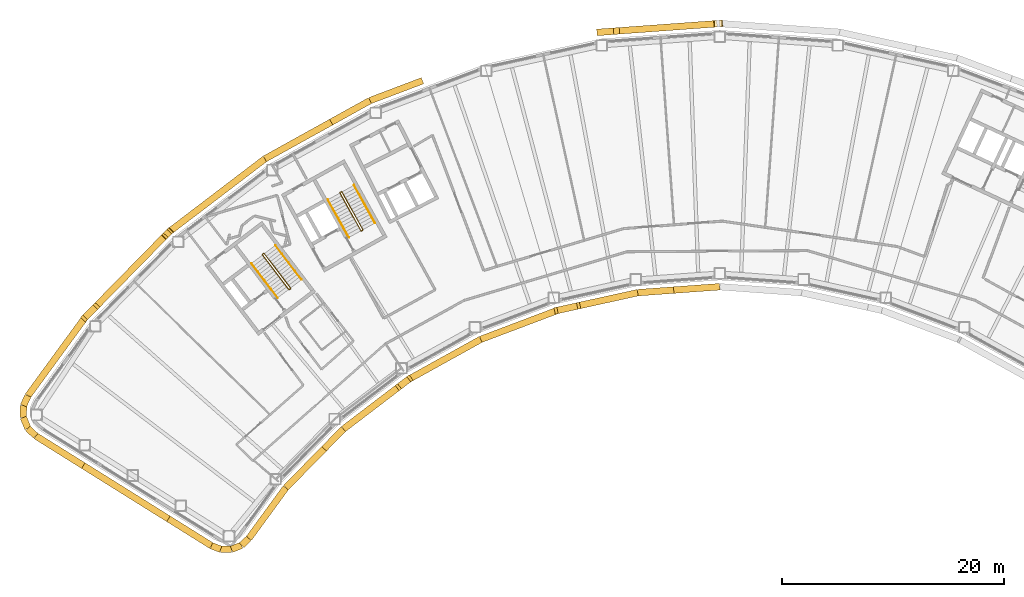
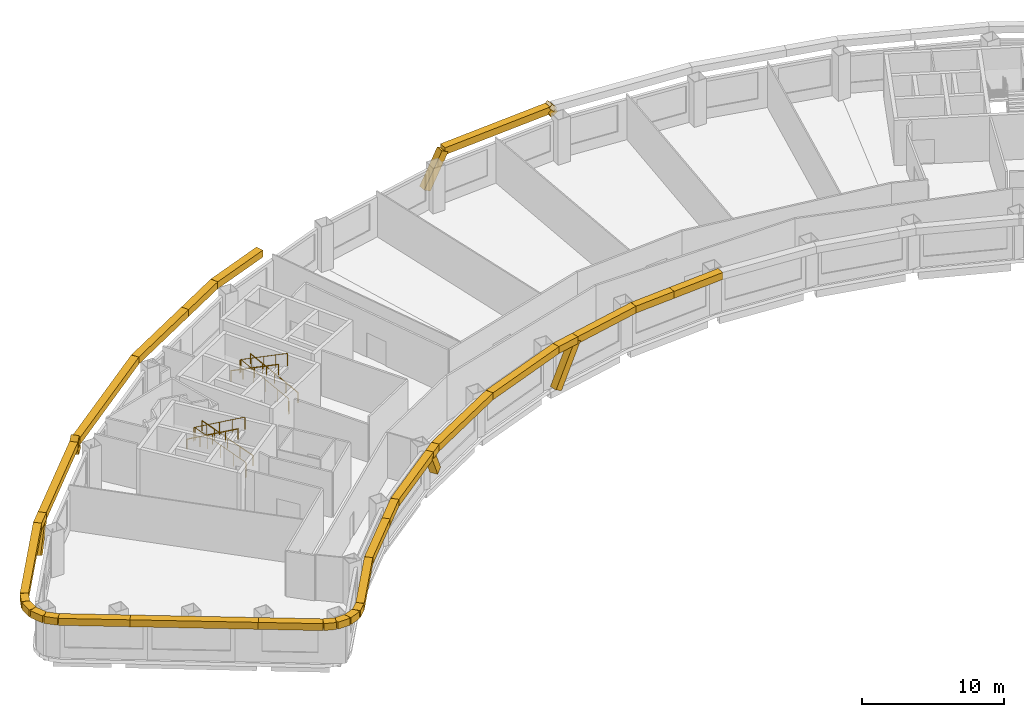
# One storey, part 10 of 11: 39 coverings, 6 railings.
"""IFC4 building model written with IfcOpenShell, lengths in metres."""

from ifc_helpers import new_model, si_unit, direction, frame, origin, origin_2d, place, context, subcontext, project, spatial, rectangle, circle, extrude, material, material_profile, profile_set, type_object, element, save


model = new_model("IFC4")

# Units and contexts
model_context = context("Model", 3, precision=1e-05, world=origin(), true_north=direction((0.0, 1.0)))
body_context = subcontext(model_context, "Body", "Model", "MODEL_VIEW")
ifc_project = project(units=[si_unit("LENGTHUNIT", "METRE"), si_unit("AREAUNIT", "SQUARE_METRE"), si_unit("VOLUMEUNIT", "CUBIC_METRE"), si_unit("PLANEANGLEUNIT", "RADIAN"), si_unit("MASSUNIT", "GRAM", prefix="KILO")], contexts=[model_context])

# Site, building, storey
site_placement = place(None, origin())
site = spatial("IfcSite", under=ifc_project, at=site_placement, CompositionType="ELEMENT")
building_placement = place(site_placement, origin())
building = spatial("IfcBuilding", under=site, at=building_placement, Name="Tuul Gate Civic Tower", CompositionType="ELEMENT")
storey_placement = place(building_placement, frame((0.0, 0.0, 159.199951171875)))
storey = spatial("IfcBuildingStorey", under=building, at=storey_placement, Name="Level 36", CompositionType="ELEMENT", Elevation=159.199951171875)

# Railings
ifc_material_1 = material(Name="Painted steel", Category="steel")
railing_type_1 = type_object("IfcRailingType", Name="Stair guard", PredefinedType="GUARDRAIL", material=ifc_material_1)
railing_1_placement = place(storey_placement, frame((-33.382080078125, -13.515380859375, 0.0)))
element("IfcRailing", 1, at=railing_1_placement, inside=storey, type_object=railing_type_1, Name="Level 36 ST-1 stair guard 1", PredefinedType="GUARDRAIL", context=body_context, shape_type="SweptSolid", body=[
    extrude(circle(Radius=0.02392578125, at=origin_2d()), frame((0.0, 0.0, 1.076171875), z_axis=(-0.795879841968, -0.605454603706, 0.0), x_axis=(0.605454603706, -0.795879841968, 0.0)), (0.0, 0.0, 1.0), 0.10009765625),
    extrude(circle(Radius=0.02392578125, at=origin_2d()), frame((-0.07958984375, -0.060546875, 1.076171875), z_axis=(0.408676696321, 0.599019267211, 0.688592241747), x_axis=(-0.826063974707, 0.563576356576, 0.0)), (0.0, 0.0, 1.0), 0.218017578125),
    extrude(circle(Radius=0.02392578125, at=origin_2d()), frame((0.009521484375, 0.070068359375, 1.22607421875), z_axis=(-0.541824460341, 0.711645023348, 0.447199748346), x_axis=(-0.795637165283, -0.60577347352, 0.0)), (0.0, 0.0, 1.0), 4.3603515625),
    extrude(circle(Radius=0.02392578125, at=origin_2d()), frame((-2.35302734375, 3.173095703125, 3.17626953125), z_axis=(-0.990893089246, 0.134650977284, 0.0), x_axis=(-0.134650977284, -0.990893089246, 0.0)), (0.0, 0.0, 1.0), 0.07080078125),
    extrude(circle(Radius=0.02392578125, at=origin_2d()), frame((-2.423095703125, 3.1826171875, 3.17626953125), z_axis=(-0.793802879778, -0.60817512943, 0.0), x_axis=(0.60817512943, -0.793802879778, 0.0)), (0.0, 0.0, 1.0), 0.099853515625),
    extrude(circle(Radius=0.02392578125, at=origin_2d()), frame((-2.50244140625, 3.121826171875, 3.17626953125), z_axis=(-0.057447065493, -0.422751481959, 0.904423031091), x_axis=(0.990893089246, -0.134650977284, 0.0)), (0.0, 0.0, 1.0), 0.165771484375),
    extrude(circle(Radius=0.02392578125, at=origin_2d()), frame((-2.511962890625, 3.0517578125, 3.326171875), z_axis=(0.541806494602, -0.71163897684, 0.447231136047), x_axis=(0.795644365679, 0.605764016233, 0.0)), (0.0, 0.0, 1.0), 4.360107421875),
    extrude(circle(Radius=0.02099609375, at=origin_2d()), origin(), (0.0, 0.0, 1.0), 1.052001953125),
    extrude(circle(Radius=0.02099609375, at=origin_2d()), frame((-0.07958984375, -0.060546875, 0.0)), (0.0, 0.0, 1.0), 1.052001953125),
    extrude(circle(Radius=0.02099609375, at=origin_2d()), frame((0.009521484375, 0.070068359375, 0.150146484375)), (0.0, 0.0, 1.0), 1.052001953125),
    extrude(circle(Radius=0.02099609375, at=origin_2d()), frame((-0.5810546875, 0.845703125, 0.6376953125)), (0.0, 0.0, 1.0), 1.052001953125),
    extrude(circle(Radius=0.02099609375, at=origin_2d()), frame((-1.171875, 1.62158203125, 1.125)), (0.0, 0.0, 1.0), 1.052001953125),
    extrude(circle(Radius=0.02099609375, at=origin_2d()), frame((-1.762451171875, 2.3974609375, 1.612548828125)), (0.0, 0.0, 1.0), 1.052001953125),
    extrude(circle(Radius=0.02099609375, at=origin_2d()), frame((-2.35302734375, 3.173095703125, 2.10009765625)), (0.0, 0.0, 1.0), 1.052001953125),
    extrude(circle(Radius=0.02099609375, at=origin_2d()), frame((-2.423095703125, 3.1826171875, 2.10009765625)), (0.0, 0.0, 1.0), 1.052001953125),
    extrude(circle(Radius=0.02099609375, at=origin_2d()), frame((-2.50244140625, 3.121826171875, 2.10009765625)), (0.0, 0.0, 1.0), 1.052001953125),
    extrude(circle(Radius=0.02099609375, at=origin_2d()), frame((-2.511962890625, 3.0517578125, 2.25)), (0.0, 0.0, 1.0), 1.052001953125),
    extrude(circle(Radius=0.02099609375, at=origin_2d()), frame((-1.92138671875, 2.276123046875, 2.737548828125)), (0.0, 0.0, 1.0), 1.052001953125),
    extrude(circle(Radius=0.02099609375, at=origin_2d()), frame((-1.330810546875, 1.50048828125, 3.22509765625)), (0.0, 0.0, 1.0), 1.052001953125),
    extrude(circle(Radius=0.02099609375, at=origin_2d()), frame((-0.740234375, 0.724609375, 3.71240234375)), (0.0, 0.0, 1.0), 1.052001953125),
    extrude(circle(Radius=0.02099609375, at=origin_2d()), frame((-0.149658203125, -0.051025390625, 4.199951171875)), (0.0, 0.0, 1.0), 1.052001953125),
])
railing_2_placement = place(storey_placement, frame((-26.857666015625, -8.247314453125, 0.0)))
element("IfcRailing", 2, at=railing_2_placement, inside=storey, type_object=railing_type_1, Name="Level 36 ST-2 stair guard 1", PredefinedType="GUARDRAIL", context=body_context, shape_type="SweptSolid", body=[
    extrude(circle(Radius=0.02392578125, at=origin_2d()), frame((0.0, 0.0, 1.076171875), z_axis=(-0.874616555828, -0.48481530532, 0.0), x_axis=(0.48481530532, -0.874616555828, 0.0)), (0.0, 0.0, 1.0), 0.10009765625),
    extrude(circle(Radius=0.02392578125, at=origin_2d()), frame((-0.087646484375, -0.048583984375, 1.076171875), z_axis=(0.490435707169, 0.534104639999, 0.688625479244), x_axis=(-0.736576986774, 0.676353711126, 0.0)), (0.0, 0.0, 1.0), 0.218017578125),
    extrude(circle(Radius=0.02392578125, at=origin_2d()), frame((0.019287109375, 0.06787109375, 1.22607421875), z_axis=(-0.43354991378, 0.782327185242, 0.447212083348), x_axis=(-0.874667644053, -0.484723129681, 0.0)), (0.0, 0.0, 1.0), 4.3603515625),
    extrude(circle(Radius=0.02392578125, at=origin_2d()), frame((-1.87109375, 3.47900390625, 3.17626953125), z_axis=(-0.961263487578, 0.275631107549, 0.0), x_axis=(-0.275631107549, -0.961263487578, 0.0)), (0.0, 0.0, 1.0), 0.07080078125),
    extrude(circle(Radius=0.02392578125, at=origin_2d()), frame((-1.939208984375, 3.49853515625, 3.17626953125), z_axis=(-0.874042088414, -0.485850211157, 0.0), x_axis=(0.485850211157, -0.874042088414, 0.0)), (0.0, 0.0, 1.0), 0.10009765625),
    extrude(circle(Radius=0.02392578125, at=origin_2d()), frame((-2.026611328125, 3.449951171875, 3.17626953125), z_axis=(-0.117866478395, -0.409586012422, 0.90462522168), x_axis=(0.961000426733, -0.276546885391, 0.0)), (0.0, 0.0, 1.0), 0.165771484375),
    extrude(circle(Radius=0.02392578125, at=origin_2d()), frame((-2.046142578125, 3.382080078125, 3.326171875), z_axis=(0.433595379963, -0.782308193291, 0.447201226726), x_axis=(0.874641102302, 0.484771020343, 0.0)), (0.0, 0.0, 1.0), 4.3603515625),
    extrude(circle(Radius=0.02099609375, at=origin_2d()), origin(), (0.0, 0.0, 1.0), 1.052001953125),
    extrude(circle(Radius=0.02099609375, at=origin_2d()), frame((-0.087646484375, -0.048583984375, 0.0)), (0.0, 0.0, 1.0), 1.052001953125),
    extrude(circle(Radius=0.02099609375, at=origin_2d()), frame((0.019287109375, 0.06787109375, 0.150146484375)), (0.0, 0.0, 1.0), 1.052001953125),
    extrude(circle(Radius=0.02099609375, at=origin_2d()), frame((-0.453369140625, 0.920654296875, 0.6376953125)), (0.0, 0.0, 1.0), 1.052001953125),
    extrude(circle(Radius=0.02099609375, at=origin_2d()), frame((-0.92578125, 1.7734375, 1.125)), (0.0, 0.0, 1.0), 1.052001953125),
    extrude(circle(Radius=0.02099609375, at=origin_2d()), frame((-1.3984375, 2.626220703125, 1.612548828125)), (0.0, 0.0, 1.0), 1.052001953125),
    extrude(circle(Radius=0.02099609375, at=origin_2d()), frame((-1.87109375, 3.47900390625, 2.10009765625)), (0.0, 0.0, 1.0), 1.052001953125),
    extrude(circle(Radius=0.02099609375, at=origin_2d()), frame((-1.939208984375, 3.49853515625, 2.10009765625)), (0.0, 0.0, 1.0), 1.052001953125),
    extrude(circle(Radius=0.02099609375, at=origin_2d()), frame((-2.026611328125, 3.449951171875, 2.10009765625)), (0.0, 0.0, 1.0), 1.052001953125),
    extrude(circle(Radius=0.02099609375, at=origin_2d()), frame((-2.046142578125, 3.382080078125, 2.25)), (0.0, 0.0, 1.0), 1.052001953125),
    extrude(circle(Radius=0.02099609375, at=origin_2d()), frame((-1.573486328125, 2.529296875, 2.737548828125)), (0.0, 0.0, 1.0), 1.052001953125),
    extrude(circle(Radius=0.02099609375, at=origin_2d()), frame((-1.100830078125, 1.676513671875, 3.22509765625)), (0.0, 0.0, 1.0), 1.052001953125),
    extrude(circle(Radius=0.02099609375, at=origin_2d()), frame((-0.628173828125, 0.82373046875, 3.71240234375)), (0.0, 0.0, 1.0), 1.052001953125),
    extrude(circle(Radius=0.02099609375, at=origin_2d()), frame((-0.155517578125, -0.029052734375, 4.199951171875)), (0.0, 0.0, 1.0), 1.052001953125),
])
ifc_material_2 = material(Name="Painted steel", Category="steel")
railing_type_2 = type_object("IfcRailingType", Name="Stair handrail", PredefinedType="HANDRAIL", material=ifc_material_2)
railing_3_placement = place(storey_placement, frame((-32.3779296875, -12.688232421875, 0.150146484375)))
element("IfcRailing", 3, at=railing_3_placement, inside=storey, type_object=railing_type_2, Name="Level 36 ST-1 stair handrail 1", PredefinedType="HANDRAIL", context=body_context, shape_type="SweptSolid", body=[
    extrude(circle(Radius=0.02392578125, at=origin_2d()), frame((0.0, 0.0, 0.8759765625), z_axis=(-0.541824460341, 0.711645023348, 0.447199748346), x_axis=(-0.795637165283, -0.60577347352, 0.0)), (0.0, 0.0, 1.0), 4.3603515625),
    extrude(circle(Radius=0.02099609375, at=origin_2d()), origin(), (0.0, 0.0, 1.0), 0.851806640625),
    extrude(circle(Radius=0.02099609375, at=origin_2d()), frame((-0.590576171875, 0.77587890625, 0.487548828125)), (0.0, 0.0, 1.0), 0.851806640625),
    extrude(circle(Radius=0.02099609375, at=origin_2d()), frame((-1.18115234375, 1.551513671875, 0.97509765625)), (0.0, 0.0, 1.0), 0.851806640625),
    extrude(circle(Radius=0.02099609375, at=origin_2d()), frame((-1.77197265625, 2.3271484375, 1.46240234375)), (0.0, 0.0, 1.0), 0.851806640625),
    extrude(circle(Radius=0.02099609375, at=origin_2d()), frame((-2.362548828125, 3.10302734375, 1.949951171875)), (0.0, 0.0, 1.0), 0.851806640625),
])
railing_4_placement = place(storey_placement, frame((-36.888671875, -11.220703125, 2.25)))
element("IfcRailing", 4, at=railing_4_placement, inside=storey, type_object=railing_type_2, Name="Level 36 ST-1 stair handrail 2", PredefinedType="HANDRAIL", context=body_context, shape_type="SweptSolid", body=[
    extrude(circle(Radius=0.02392578125, at=origin_2d()), frame((0.0, 0.0, 0.8759765625), z_axis=(0.541824460341, -0.711645023348, 0.447199748346), x_axis=(0.795637165283, 0.60577347352, 0.0)), (0.0, 0.0, 1.0), 4.3603515625),
    extrude(circle(Radius=0.02099609375, at=origin_2d()), origin(), (0.0, 0.0, 1.0), 0.851806640625),
    extrude(circle(Radius=0.02099609375, at=origin_2d()), frame((0.590576171875, -0.77587890625, 0.487548828125)), (0.0, 0.0, 1.0), 0.851806640625),
    extrude(circle(Radius=0.02099609375, at=origin_2d()), frame((1.18115234375, -1.551513671875, 0.97509765625)), (0.0, 0.0, 1.0), 0.851806640625),
    extrude(circle(Radius=0.02099609375, at=origin_2d()), frame((1.77197265625, -2.3271484375, 1.46240234375)), (0.0, 0.0, 1.0), 0.851806640625),
    extrude(circle(Radius=0.02099609375, at=origin_2d()), frame((2.362548828125, -3.10302734375, 1.949951171875)), (0.0, 0.0, 1.0), 0.851806640625),
])
railing_5_placement = place(storey_placement, frame((-25.744873046875, -7.573486328125, 0.150146484375)))
element("IfcRailing", 5, at=railing_5_placement, inside=storey, type_object=railing_type_2, Name="Level 36 ST-2 stair handrail 1", PredefinedType="HANDRAIL", context=body_context, shape_type="SweptSolid", body=[
    extrude(circle(Radius=0.02392578125, at=origin_2d()), frame((0.0, 0.0, 0.8759765625), z_axis=(-0.433595379963, 0.782308193291, 0.447201226726), x_axis=(-0.874641102302, -0.484771020343, 0.0)), (0.0, 0.0, 1.0), 4.3603515625),
    extrude(circle(Radius=0.02099609375, at=origin_2d()), origin(), (0.0, 0.0, 1.0), 0.851806640625),
    extrude(circle(Radius=0.02099609375, at=origin_2d()), frame((-0.47265625, 0.852783203125, 0.487548828125)), (0.0, 0.0, 1.0), 0.851806640625),
    extrude(circle(Radius=0.02099609375, at=origin_2d()), frame((-0.9453125, 1.70556640625, 0.97509765625)), (0.0, 0.0, 1.0), 0.851806640625),
    extrude(circle(Radius=0.02099609375, at=origin_2d()), frame((-1.41796875, 2.558349609375, 1.46240234375)), (0.0, 0.0, 1.0), 0.851806640625),
    extrude(circle(Radius=0.02099609375, at=origin_2d()), frame((-1.890625, 3.4111328125, 1.949951171875)), (0.0, 0.0, 1.0), 0.851806640625),
])
railing_6_placement = place(storey_placement, frame((-29.9970703125, -5.47119140625, 2.25)))
element("IfcRailing", 6, at=railing_6_placement, inside=storey, type_object=railing_type_2, Name="Level 36 ST-2 stair handrail 2", PredefinedType="HANDRAIL", context=body_context, shape_type="SweptSolid", body=[
    extrude(circle(Radius=0.02392578125, at=origin_2d()), frame((0.0, 0.0, 0.8759765625), z_axis=(0.433595379963, -0.782308193291, 0.447201226726), x_axis=(0.874641102302, 0.484771020343, 0.0)), (0.0, 0.0, 1.0), 4.3603515625),
    extrude(circle(Radius=0.02099609375, at=origin_2d()), origin(), (0.0, 0.0, 1.0), 0.851806640625),
    extrude(circle(Radius=0.02099609375, at=origin_2d()), frame((0.47265625, -0.852783203125, 0.487548828125)), (0.0, 0.0, 1.0), 0.851806640625),
    extrude(circle(Radius=0.02099609375, at=origin_2d()), frame((0.9453125, -1.70556640625, 0.97509765625)), (0.0, 0.0, 1.0), 0.851806640625),
    extrude(circle(Radius=0.02099609375, at=origin_2d()), frame((1.41796875, -2.558349609375, 1.46240234375)), (0.0, 0.0, 1.0), 0.851806640625),
    extrude(circle(Radius=0.02099609375, at=origin_2d()), frame((1.890625, -3.4111328125, 1.949951171875)), (0.0, 0.0, 1.0), 0.851806640625),
])

# Coverings
ifc_material_3 = material(Name="Terracotta baguette", Category="masonry")
ifc_material_profile = material_profile(ifc_material_3, rectangle(XDim=0.60009765625, YDim=0.60009765625, at=origin_2d()), Name="Terracotta baguette screen frame")
ifc_profile_set = profile_set([ifc_material_profile], Name="Terracotta baguette")
covering_type = type_object("IfcCoveringType", Name="Terracotta baguette screen frame", PredefinedType="CLADDING", material=ifc_profile_set)
covering_1_placement = place(storey_placement, frame((5.3740234375, 10.43505859375, 4.099365234375), z_axis=(-0.731896809829, -0.053228858897, -0.679333311669), x_axis=(0.072535695779, -0.997365816959, 0.0)))
element("IfcCovering", 7, at=covering_1_placement, inside=storey, type_object=covering_type, Name="Baguette 72", PredefinedType="CLADDING", context=body_context, shape_type="SweptSolid", body=[
    extrude(rectangle(XDim=0.60009765625, YDim=0.60009765625, at=origin_2d()), origin(), (0.0, 0.0, 1.0), 0.366943359375),
])
covering_2_placement = place(storey_placement, frame((5.10546875, 10.41552734375, 3.85009765625), z_axis=(0.473792597788, 0.034457643475, -0.879962070255), x_axis=(-0.072535695779, 0.997365816959, 0.0)))
element("IfcCovering", 8, at=covering_2_placement, inside=storey, type_object=covering_type, Name="Baguette 76", PredefinedType="CLADDING", context=body_context, shape_type="SweptSolid", body=[
    extrude(rectangle(XDim=0.60009765625, YDim=0.60009765625, at=origin_2d()), origin(), (0.0, 0.0, 1.0), 0.56689453125),
])
covering_3_placement = place(storey_placement, frame((5.10546875, 10.41552734375, 3.85009765625), z_axis=(-0.997386341974, -0.072252922734, 0.0), x_axis=(0.072252922734, -0.997386341974, 0.0)))
element("IfcCovering", 9, at=covering_3_placement, inside=storey, type_object=covering_type, Name="Baguette 78", PredefinedType="CLADDING", context=body_context, shape_type="SweptSolid", body=[
    extrude(rectangle(XDim=0.60009765625, YDim=0.60009765625, at=origin_2d()), origin(), (0.0, 0.0, 1.0), 9.072509765625),
])
covering_4_placement = place(storey_placement, frame((-3.943359375, 9.760009765625, 3.85009765625), z_axis=(-0.473958579219, -0.034288001027, -0.879879308866), x_axis=(0.072155305808, -0.997393408763, 0.0)))
element("IfcCovering", 10, at=covering_4_placement, inside=storey, type_object=covering_type, Name="Baguette 83", PredefinedType="CLADDING", context=body_context, shape_type="SweptSolid", body=[
    extrude(rectangle(XDim=0.60009765625, YDim=0.60009765625, at=origin_2d()), origin(), (0.0, 0.0, 1.0), 3.175537109375),
])
covering_5_placement = place(storey_placement, frame((-21.4560546875, 5.26953125, 3.85009765625), z_axis=(-0.935345299658, -0.353736017969, 0.0), x_axis=(0.353736017969, -0.935345299658, 0.0)))
element("IfcCovering", 11, at=covering_5_placement, inside=storey, type_object=covering_type, Name="Baguette 99", PredefinedType="CLADDING", context=body_context, shape_type="SweptSolid", body=[
    extrude(rectangle(XDim=0.60009765625, YDim=0.60009765625, at=origin_2d()), origin(), (0.0, 0.0, 1.0), 5.066650390625),
])
covering_6_placement = place(storey_placement, frame((-26.195068359375, 3.477294921875, 3.85009765625), z_axis=(-0.874642685477, -0.484768163911, 0.0), x_axis=(0.484768163911, -0.874642685477, 0.0)))
element("IfcCovering", 12, at=covering_6_placement, inside=storey, type_object=covering_type, Name="Baguette 100", PredefinedType="CLADDING", context=body_context, shape_type="SweptSolid", body=[
    extrude(rectangle(XDim=0.60009765625, YDim=0.60009765625, at=origin_2d()), origin(), (0.0, 0.0, 1.0), 4.005859375),
])
covering_7_placement = place(storey_placement, frame((-44.319580078125, -8.357177734375, 4.264892578125), z_axis=(-0.513838638896, -0.523835499575, -0.679386651739), x_axis=(0.713885857337, -0.700262081434, 0.0)))
element("IfcCovering", 13, at=covering_7_placement, inside=storey, type_object=covering_type, Name="Baguette 114", PredefinedType="CLADDING", context=body_context, shape_type="SweptSolid", body=[
    extrude(rectangle(XDim=0.60009765625, YDim=0.60009765625, at=origin_2d()), origin(), (0.0, 0.0, 1.0), 0.610595703125),
])
covering_8_placement = place(storey_placement, frame((-44.63330078125, -8.677001953125, 3.85009765625), z_axis=(0.3326680257, 0.339140166278, -0.879952232961), x_axis=(-0.713885857337, 0.700262081434, 0.0)))
element("IfcCovering", 14, at=covering_8_placement, inside=storey, type_object=covering_type, Name="Baguette 118", PredefinedType="CLADDING", context=body_context, shape_type="SweptSolid", body=[
    extrude(rectangle(XDim=0.60009765625, YDim=0.60009765625, at=origin_2d()), origin(), (0.0, 0.0, 1.0), 0.943115234375),
])
covering_9_placement = place(storey_placement, frame((-44.63330078125, -8.677001953125, 3.85009765625), z_axis=(-0.700034819682, -0.714108711075, 0.0), x_axis=(0.714108711075, -0.700034819682, 0.0)))
element("IfcCovering", 15, at=covering_9_placement, inside=storey, type_object=covering_type, Name="Baguette 120", PredefinedType="CLADDING", context=body_context, shape_type="SweptSolid", body=[
    extrude(rectangle(XDim=0.60009765625, YDim=0.60009765625, at=origin_2d()), origin(), (0.0, 0.0, 1.0), 9.072509765625),
])
covering_10_placement = place(storey_placement, frame((-50.984375, -15.15576171875, 3.85009765625), z_axis=(-0.332603463644, -0.339318321196, -0.879907957046), x_axis=(0.714137600713, -0.700005348013, 0.0)))
element("IfcCovering", 16, at=covering_10_placement, inside=storey, type_object=covering_type, Name="Baguette 125", PredefinedType="CLADDING", context=body_context, shape_type="SweptSolid", body=[
    extrude(rectangle(XDim=0.60009765625, YDim=0.60009765625, at=origin_2d()), origin(), (0.0, 0.0, 1.0), 2.799560546875),
])
covering_11_placement = place(storey_placement, frame((-52.0712890625, -29.478515625, 3.85009765625), z_axis=(0.848051326016, -0.529914095342, 0.0), x_axis=(0.529914095342, 0.848051326016, 0.0)))
element("IfcCovering", 17, at=covering_11_placement, inside=storey, type_object=covering_type, Name="Baguette 152", PredefinedType="CLADDING", context=body_context, shape_type="SweptSolid", body=[
    extrude(rectangle(XDim=0.60009765625, YDim=0.60009765625, at=origin_2d()), origin(), (0.0, 0.0, 1.0), 9.052978515625),
])
covering_12_placement = place(storey_placement, frame((-30.33349609375, -27.94580078125, 3.85009765625), z_axis=(0.70003698075, 0.714106592591, 0.0), x_axis=(-0.714106592591, 0.70003698075, 0.0)))
element("IfcCovering", 18, at=covering_12_placement, inside=storey, type_object=covering_type, Name="Baguette 184", PredefinedType="CLADDING", context=body_context, shape_type="SweptSolid", body=[
    extrude(rectangle(XDim=0.60009765625, YDim=0.60009765625, at=origin_2d()), origin(), (0.0, 0.0, 1.0), 2.4814453125),
])
covering_13_placement = place(storey_placement, frame((-28.596435546875, -26.173828125, 3.85009765625), z_axis=(0.795568060783, 0.60586422626, 0.0), x_axis=(-0.60586422626, 0.795568060783, 0.0)))
element("IfcCovering", 19, at=covering_13_placement, inside=storey, type_object=covering_type, Name="Baguette 185", PredefinedType="CLADDING", context=body_context, shape_type="SweptSolid", body=[
    extrude(rectangle(XDim=0.60009765625, YDim=0.60009765625, at=origin_2d()), origin(), (0.0, 0.0, 1.0), 6.370361328125),
])
covering_14_placement = place(storey_placement, frame((-23.5283203125, -22.314208984375, 3.85009765625), z_axis=(0.370914672837, 0.282368844377, -0.88469776828), x_axis=(-0.605727180009, 0.7956724096, 0.0)))
element("IfcCovering", 20, at=covering_14_placement, inside=storey, type_object=covering_type, Name="Baguette 190", PredefinedType="CLADDING", context=body_context, shape_type="SweptSolid", body=[
    extrude(rectangle(XDim=0.60009765625, YDim=0.60009765625, at=origin_2d()), origin(), (0.0, 0.0, 1.0), 2.2470703125),
])
covering_15_placement = place(storey_placement, frame((-7.490478515625, -15.06787109375, 3.85009765625), z_axis=(-0.455228552441, -0.100321546982, -0.884704782542), x_axis=(0.215212210255, -0.976567306721, 0.0)))
element("IfcCovering", 21, at=covering_15_placement, inside=storey, type_object=covering_type, Name="Baguette 208", PredefinedType="CLADDING", context=body_context, shape_type="SweptSolid", body=[
    extrude(rectangle(XDim=0.60009765625, YDim=0.60009765625, at=origin_2d()), origin(), (0.0, 0.0, 1.0), 3.906005859375),
])
covering_16_placement = place(storey_placement, frame((-7.490478515625, -15.06787109375, 3.85009765625), z_axis=(0.976556146559, 0.21526284542, 0.0), x_axis=(-0.21526284542, 0.976556146559, 0.0)))
element("IfcCovering", 22, at=covering_16_placement, inside=storey, type_object=covering_type, Name="Baguette 210", PredefinedType="CLADDING", context=body_context, shape_type="SweptSolid", body=[
    extrude(rectangle(XDim=0.60009765625, YDim=0.60009765625, at=origin_2d()), origin(), (0.0, 0.0, 1.0), 5.596923828125),
])
covering_17_placement = place(storey_placement, frame((-2.024658203125, -13.863037109375, 3.85009765625), z_axis=(0.997387772907, 0.072233167279, 0.0), x_axis=(-0.072233167279, 0.997387772907, 0.0)))
element("IfcCovering", 23, at=covering_17_placement, inside=storey, type_object=covering_type, Name="Baguette 211", PredefinedType="CLADDING", context=body_context, shape_type="SweptSolid", body=[
    extrude(rectangle(XDim=0.60009765625, YDim=0.60009765625, at=origin_2d()), origin(), (0.0, 0.0, 1.0), 3.2548828125),
])
covering_18_placement = place(storey_placement, frame((-29.69873046875, 1.535400390625, 3.85009765625), z_axis=(-0.874617819536, -0.484813025557, 0.0), x_axis=(0.484813025557, -0.874617819536, 0.0)))
element("IfcCovering", 24, at=covering_18_placement, inside=storey, type_object=covering_type, Name="Baguette 316", PredefinedType="CLADDING", context=body_context, shape_type="SweptSolid", body=[
    extrude(rectangle(XDim=0.60009765625, YDim=0.60009765625, at=origin_2d()), origin(), (0.0, 0.0, 1.0), 6.845703125),
])
covering_19_placement = place(storey_placement, frame((-35.68603515625, -1.783447265625, 3.85009765625), z_axis=(-0.795618643442, -0.605797799771, 0.0), x_axis=(0.605797799771, -0.795618643442, 0.0)))
element("IfcCovering", 25, at=covering_19_placement, inside=storey, type_object=covering_type, Name="Baguette 317", PredefinedType="CLADDING", context=body_context, shape_type="SweptSolid", body=[
    extrude(rectangle(XDim=0.60009765625, YDim=0.60009765625, at=origin_2d()), origin(), (0.0, 0.0, 1.0), 10.851318359375),
])
covering_20_placement = place(storey_placement, frame((-44.319580078125, -8.357177734375, 3.85009765625), z_axis=(-0.700262081434, -0.713885857337, 0.0), x_axis=(0.713885857337, -0.700262081434, 0.0)))
element("IfcCovering", 26, at=covering_20_placement, inside=storey, type_object=covering_type, Name="Baguette 318", PredefinedType="CLADDING", context=body_context, shape_type="SweptSolid", body=[
    extrude(rectangle(XDim=0.60009765625, YDim=0.60009765625, at=origin_2d()), origin(), (0.0, 0.0, 1.0), 0.447998046875),
])
covering_21_placement = place(storey_placement, frame((-50.984375, -15.15576171875, 3.85009765625), z_axis=(-0.700005348013, -0.714137600713, 0.0), x_axis=(0.714137600713, -0.700005348013, 0.0)))
element("IfcCovering", 27, at=covering_21_placement, inside=storey, type_object=covering_type, Name="Baguette 322", PredefinedType="CLADDING", context=body_context, shape_type="SweptSolid", body=[
    extrude(rectangle(XDim=0.60009765625, YDim=0.60009765625, at=origin_2d()), origin(), (0.0, 0.0, 1.0), 1.330322265625),
])
covering_22_placement = place(storey_placement, frame((-51.91552734375, -16.105712890625, 3.85009765625), z_axis=(-0.589764286523, -0.807575436936, 0.0), x_axis=(0.807575436936, -0.589764286523, 0.0)))
element("IfcCovering", 28, at=covering_22_placement, inside=storey, type_object=covering_type, Name="Baguette 323", PredefinedType="CLADDING", context=body_context, shape_type="SweptSolid", body=[
    extrude(rectangle(XDim=0.60009765625, YDim=0.60009765625, at=origin_2d()), origin(), (0.0, 0.0, 1.0), 8.735107421875),
])
covering_23_placement = place(storey_placement, frame((-57.067138671875, -23.159912109375, 3.85009765625), z_axis=(-0.413393330634, -0.910552554325, 0.0), x_axis=(0.910552554325, -0.413393330634, 0.0)))
element("IfcCovering", 29, at=covering_23_placement, inside=storey, type_object=covering_type, Name="Baguette 324", PredefinedType="CLADDING", context=body_context, shape_type="SweptSolid", body=[
    extrude(rectangle(XDim=0.60009765625, YDim=0.60009765625, at=origin_2d()), origin(), (0.0, 0.0, 1.0), 0.988037109375),
])
covering_24_placement = place(storey_placement, frame((-57.4755859375, -24.0595703125, 3.85009765625), z_axis=(-0.014633694716, -0.999892921757, 0.0), x_axis=(0.999892921757, -0.014633694716, 0.0)))
element("IfcCovering", 30, at=covering_24_placement, inside=storey, type_object=covering_type, Name="Baguette 325", PredefinedType="CLADDING", context=body_context, shape_type="SweptSolid", body=[
    extrude(rectangle(XDim=0.60009765625, YDim=0.60009765625, at=origin_2d()), origin(), (0.0, 0.0, 1.0), 1.067626953125),
])
covering_25_placement = place(storey_placement, frame((-57.4912109375, -25.127197265625, 3.85009765625), z_axis=(0.385784883999, -0.922588761734, 0.0), x_axis=(0.922588761734, 0.385784883999, 0.0)))
element("IfcCovering", 31, at=covering_25_placement, inside=storey, type_object=covering_type, Name="Baguette 326", PredefinedType="CLADDING", context=body_context, shape_type="SweptSolid", body=[
    extrude(rectangle(XDim=0.60009765625, YDim=0.60009765625, at=origin_2d()), origin(), (0.0, 0.0, 1.0), 1.06689453125),
])
covering_26_placement = place(storey_placement, frame((-57.07958984375, -26.111572265625, 3.85009765625), z_axis=(0.722137314744, -0.691749737011, 0.0), x_axis=(0.691749737011, 0.722137314744, 0.0)))
element("IfcCovering", 32, at=covering_26_placement, inside=storey, type_object=covering_type, Name="Baguette 327", PredefinedType="CLADDING", context=body_context, shape_type="SweptSolid", body=[
    extrude(rectangle(XDim=0.60009765625, YDim=0.60009765625, at=origin_2d()), origin(), (0.0, 0.0, 1.0), 0.98828125),
])
covering_27_placement = place(storey_placement, frame((-56.365966796875, -26.795166015625, 3.85009765625), z_axis=(0.848071424264, -0.529881929628, 0.0), x_axis=(0.529881929628, 0.848071424264, 0.0)))
element("IfcCovering", 33, at=covering_27_placement, inside=storey, type_object=covering_type, Name="Baguette 328", PredefinedType="CLADDING", context=body_context, shape_type="SweptSolid", body=[
    extrude(rectangle(XDim=0.60009765625, YDim=0.60009765625, at=origin_2d()), origin(), (0.0, 0.0, 1.0), 5.06396484375),
])
covering_28_placement = place(storey_placement, frame((-44.393798828125, -34.27587890625, 3.85009765625), z_axis=(0.848037242492, -0.529936633331, 0.0), x_axis=(0.529936633331, 0.848037242492, 0.0)))
element("IfcCovering", 34, at=covering_28_placement, inside=storey, type_object=covering_type, Name="Baguette 337", PredefinedType="CLADDING", context=body_context, shape_type="SweptSolid", body=[
    extrude(rectangle(XDim=0.60009765625, YDim=0.60009765625, at=origin_2d()), origin(), (0.0, 0.0, 1.0), 4.578857421875),
])
covering_29_placement = place(storey_placement, frame((-40.5107421875, -36.702392578125, 3.85009765625), z_axis=(0.93189278144, -0.362733847194, 0.0), x_axis=(0.362733847194, 0.93189278144, 0.0)))
element("IfcCovering", 35, at=covering_29_placement, inside=storey, type_object=covering_type, Name="Baguette 338", PredefinedType="CLADDING", context=body_context, shape_type="SweptSolid", body=[
    extrude(rectangle(XDim=0.60009765625, YDim=0.60009765625, at=origin_2d()), origin(), (0.0, 0.0, 1.0), 0.901123046875),
])
covering_30_placement = place(storey_placement, frame((-39.6708984375, -37.029296875, 3.85009765625), z_axis=(0.999996192163, 0.002759648297, 0.0), x_axis=(-0.002759648297, 0.999996192163, 0.0)))
element("IfcCovering", 36, at=covering_30_placement, inside=storey, type_object=covering_type, Name="Baguette 339", PredefinedType="CLADDING", context=body_context, shape_type="SweptSolid", body=[
    extrude(rectangle(XDim=0.60009765625, YDim=0.60009765625, at=origin_2d()), origin(), (0.0, 0.0, 1.0), 0.97314453125),
])
covering_31_placement = place(storey_placement, frame((-38.69775390625, -37.026611328125, 3.85009765625), z_axis=(0.929647485715, 0.36845020329, 0.0), x_axis=(-0.36845020329, 0.929647485715, 0.0)))
element("IfcCovering", 37, at=covering_31_placement, inside=storey, type_object=covering_type, Name="Baguette 340", PredefinedType="CLADDING", context=body_context, shape_type="SweptSolid", body=[
    extrude(rectangle(XDim=0.60009765625, YDim=0.60009765625, at=origin_2d()), origin(), (0.0, 0.0, 1.0), 0.97412109375),
])
covering_32_placement = place(storey_placement, frame((-37.792236328125, -36.667724609375, 3.85009765625), z_axis=(0.730001285686, 0.683445771731, 0.0), x_axis=(-0.683445771731, 0.730001285686, 0.0)))
element("IfcCovering", 38, at=covering_32_placement, inside=storey, type_object=covering_type, Name="Baguette 341", PredefinedType="CLADDING", context=body_context, shape_type="SweptSolid", body=[
    extrude(rectangle(XDim=0.60009765625, YDim=0.60009765625, at=origin_2d()), origin(), (0.0, 0.0, 1.0), 0.902099609375),
])
covering_33_placement = place(storey_placement, frame((-37.1337890625, -36.05126953125, 3.85009765625), z_axis=(0.589729447422, 0.807600878432, 0.0), x_axis=(-0.807600878432, 0.589729447422, 0.0)))
element("IfcCovering", 39, at=covering_33_placement, inside=storey, type_object=covering_type, Name="Baguette 342", PredefinedType="CLADDING", context=body_context, shape_type="SweptSolid", body=[
    extrude(rectangle(XDim=0.60009765625, YDim=0.60009765625, at=origin_2d()), origin(), (0.0, 0.0, 1.0), 5.671142578125),
])
covering_34_placement = place(storey_placement, frame((-33.789306640625, -31.47119140625, 3.85009765625), z_axis=(0.700024437116, 0.71411888887, 0.0), x_axis=(-0.71411888887, 0.700024437116, 0.0)))
element("IfcCovering", 40, at=covering_34_placement, inside=storey, type_object=covering_type, Name="Baguette 343", PredefinedType="CLADDING", context=body_context, shape_type="SweptSolid", body=[
    extrude(rectangle(XDim=0.60009765625, YDim=0.60009765625, at=origin_2d()), origin(), (0.0, 0.0, 1.0), 4.936767578125),
])
covering_35_placement = place(storey_placement, frame((-23.5283203125, -22.314208984375, 3.85009765625), z_axis=(0.7956724096, 0.605727180009, 0.0), x_axis=(-0.605727180009, 0.7956724096, 0.0)))
element("IfcCovering", 41, at=covering_35_placement, inside=storey, type_object=covering_type, Name="Baguette 347", PredefinedType="CLADDING", context=body_context, shape_type="SweptSolid", body=[
    extrude(rectangle(XDim=0.60009765625, YDim=0.60009765625, at=origin_2d()), origin(), (0.0, 0.0, 1.0), 1.047607421875),
])
covering_36_placement = place(storey_placement, frame((-22.69482421875, -21.6796875, 3.85009765625), z_axis=(0.874616400337, 0.484815585828, 0.0), x_axis=(-0.484815585828, 0.874616400337, 0.0)))
element("IfcCovering", 42, at=covering_36_placement, inside=storey, type_object=covering_type, Name="Baguette 348", PredefinedType="CLADDING", context=body_context, shape_type="SweptSolid", body=[
    extrude(rectangle(XDim=0.60009765625, YDim=0.60009765625, at=origin_2d()), origin(), (0.0, 0.0, 1.0), 7.418212890625),
])
covering_37_placement = place(storey_placement, frame((-16.206787109375, -18.083251953125, 3.85009765625), z_axis=(0.935363965038, 0.353686659217, 0.0), x_axis=(-0.353686659217, 0.935363965038, 0.0)))
element("IfcCovering", 43, at=covering_37_placement, inside=storey, type_object=covering_type, Name="Baguette 349", PredefinedType="CLADDING", context=body_context, shape_type="SweptSolid", body=[
    extrude(rectangle(XDim=0.60009765625, YDim=0.60009765625, at=origin_2d()), origin(), (0.0, 0.0, 1.0), 7.417724609375),
])
covering_38_placement = place(storey_placement, frame((-9.2685546875, -15.459716796875, 3.85009765625), z_axis=(0.976567306721, 0.215212210255, 0.0), x_axis=(-0.215212210255, 0.976567306721, 0.0)))
element("IfcCovering", 44, at=covering_38_placement, inside=storey, type_object=covering_type, Name="Baguette 350", PredefinedType="CLADDING", context=body_context, shape_type="SweptSolid", body=[
    extrude(rectangle(XDim=0.60009765625, YDim=0.60009765625, at=origin_2d()), origin(), (0.0, 0.0, 1.0), 1.82080078125),
])
covering_39_placement = place(storey_placement, frame((1.2216796875, -13.6279296875, 3.85009765625), z_axis=(0.997382528722, 0.072305541975, 0.0), x_axis=(-0.072305541975, 0.997382528722, 0.0)))
element("IfcCovering", 45, at=covering_39_placement, inside=storey, type_object=covering_type, Name="Baguette 358", PredefinedType="CLADDING", context=body_context, shape_type="SweptSolid", body=[
    extrude(rectangle(XDim=0.60009765625, YDim=0.60009765625, at=origin_2d()), origin(), (0.0, 0.0, 1.0), 4.163330078125),
])

save(model, "model.ifc")
